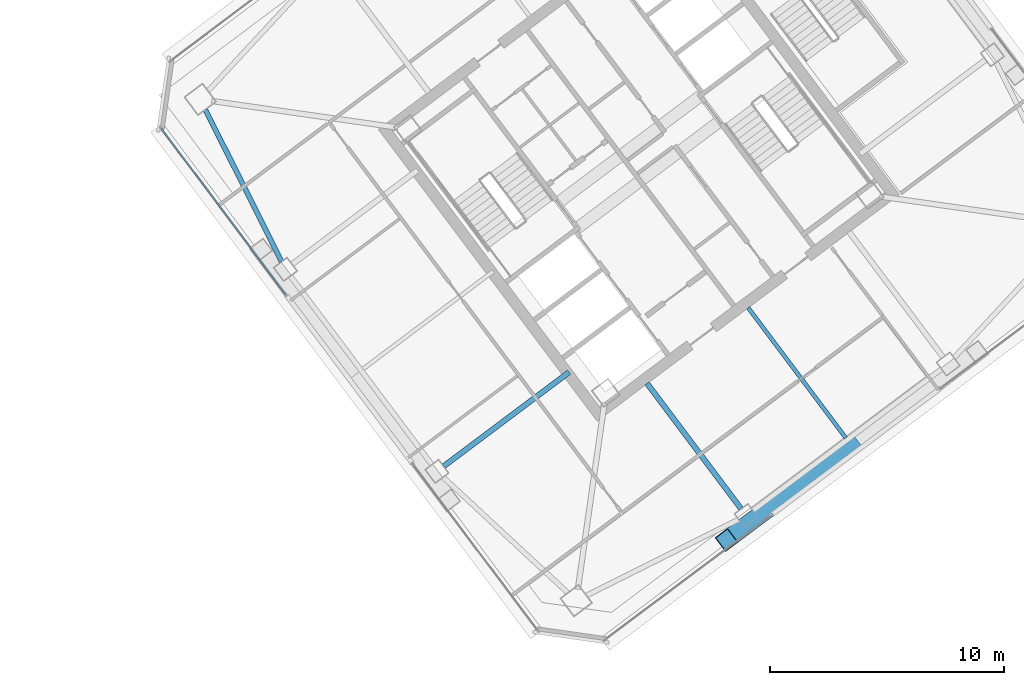
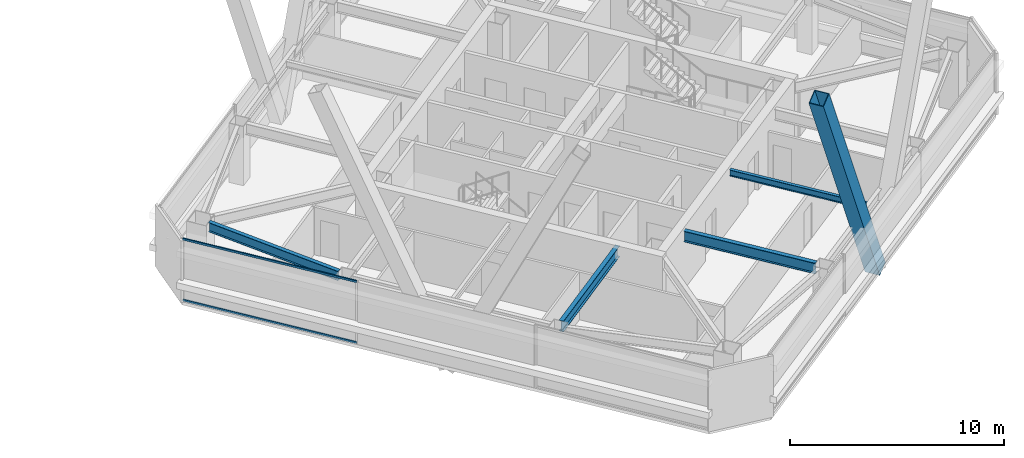
# One storey, part 23 of 47: 4 beams, 3 members, 1 element without a shape of its own.
"""IFC4 building model written with IfcOpenShell, lengths in metres."""

from ifc_helpers import new_model, si_unit, direction, frame, origin, origin_2d, place, context, subcontext, project, spatial, hollow_rectangle, i_section, extrude, material, material_profile, profile_set, type_object, element, aggregate, save


model = new_model("IFC4")

# Units and contexts
model_context = context("Model", 3, precision=1e-05, world=origin(), true_north=direction((0.0, 1.0)))
body_context = subcontext(model_context, "Body", "Model", "MODEL_VIEW")
ifc_project = project(units=[si_unit("LENGTHUNIT", "METRE"), si_unit("AREAUNIT", "SQUARE_METRE"), si_unit("VOLUMEUNIT", "CUBIC_METRE"), si_unit("PLANEANGLEUNIT", "RADIAN"), si_unit("MASSUNIT", "GRAM", prefix="KILO")], contexts=[model_context])

# Site, building, storey
site_placement = place(None, origin())
site = spatial("IfcSite", under=ifc_project, at=site_placement, CompositionType="ELEMENT")
building_placement = place(site_placement, origin())
building = spatial("IfcBuilding", under=site, at=building_placement, Name="Tashvorn Skyway Center", CompositionType="ELEMENT")
storey_placement = place(building_placement, frame((0.0, 0.0, 204.199951171875)))
storey = spatial("IfcBuildingStorey", under=building, at=storey_placement, Name="L55", CompositionType="ELEMENT", Elevation=204.199951171875)

# Beams
ifc_material_1 = material(Name="Steel ASTM A992 Grade 50", Category="steel")
ifc_material_profile_1 = material_profile(ifc_material_1, i_section(OverallWidth=0.22998046875, OverallDepth=0.616943359375, WebThickness=0.01318359375, FlangeThickness=0.022216796875, at=origin_2d()), Name="W24X94")
ifc_profile_set_1 = profile_set([ifc_material_profile_1], Name="Steel ASTM A992 Grade 50")
beam_type_1 = type_object("IfcBeamType", Name="BM-BEAM-W24X94", PredefinedType="BEAM", material=ifc_profile_set_1)
beam_1_placement = place(storey_placement, frame((118.367919921875, 17.176025390625, 3.0615234375), z_axis=(-0.600011660554, 0.799991254452, 0.0), x_axis=(-0.799991254452, -0.600011660554, 0.0)))
element("IfcBeam", 1, at=beam_1_placement, inside=storey, type_object=beam_type_1, Name="Tower 2 L55 Primary Floor Girder FC-S1", PredefinedType="BEAM", context=body_context, shape_type="SweptSolid", body=[
    extrude(i_section(OverallWidth=0.22998046875, OverallDepth=0.616943359375, WebThickness=0.01318359375, FlangeThickness=0.022216796875, at=origin_2d()), origin(), (0.0, 0.0, 1.0), 6.699951171875),
])
beam_2_placement = place(storey_placement, frame((105.656005859375, 18.991943359375, 3.0615234375), z_axis=(0.800004372583, 0.599994169845, 0.0), x_axis=(-0.599994169845, 0.800004372583, 0.0)))
element("IfcBeam", 2, at=beam_2_placement, inside=storey, type_object=beam_type_1, Name="Tower 2 L55 Primary Floor Girder FC-W2", PredefinedType="BEAM", context=body_context, shape_type="SweptSolid", body=[
    extrude(i_section(OverallWidth=0.22998046875, OverallDepth=0.616943359375, WebThickness=0.01318359375, FlangeThickness=0.022216796875, at=origin_2d()), origin(), (0.0, 0.0, 1.0), 6.7001953125),
])
ifc_material_profile_2 = material_profile(ifc_material_1, i_section(OverallWidth=0.1708984375, OverallDepth=0.35498046875, WebThickness=0.007080078125, FlangeThickness=0.01171875, at=origin_2d()), Name="W14X34")
ifc_profile_set_2 = profile_set([ifc_material_profile_2], Name="Steel ASTM A992 Grade 50")
beam_type_2 = type_object("IfcBeamType", Name="BM-JOIST-W14X34", PredefinedType="JOIST", material=ifc_profile_set_2)
beam_3_placement = place(storey_placement, frame((118.674072265625, 25.76806640625, 3.192626953125), z_axis=(0.599994389612, -0.800004207761, 0.0), x_axis=(0.800004207761, 0.599994389612, 0.0)))
element("IfcBeam", 3, at=beam_3_placement, inside=storey, type_object=beam_type_2, Name="Tower 2 L55 Secondary Composite Joist JS", PredefinedType="JOIST", context=body_context, shape_type="SweptSolid", body=[
    extrude(i_section(OverallWidth=0.1708984375, OverallDepth=0.35498046875, WebThickness=0.007080078125, FlangeThickness=0.01171875, at=origin_2d()), origin(), (0.0, 0.0, 1.0), 6.962646484375),
])
ifc_material_profile_3 = material_profile(ifc_material_1, i_section(OverallWidth=0.2109375, OverallDepth=0.5390625, WebThickness=0.01171875, FlangeThickness=0.018798828125, at=origin_2d()), Name="W21X73")
ifc_profile_set_3 = profile_set([ifc_material_profile_3], Name="Steel ASTM A992 Grade 50")
beam_type_3 = type_object("IfcBeamType", Name="BM-SPANDREL-W21X73", PredefinedType="SPANDREL", material=ifc_profile_set_3)
beam_4_placement = place(storey_placement, frame((95.461669921875, 34.2373046875, 3.1005859375), z_axis=(0.447710870872, -0.894178380472, 0.0), x_axis=(0.894178380472, 0.447710870872, 0.0)))
element("IfcBeam", 4, at=beam_4_placement, inside=storey, type_object=beam_type_3, Name="Tower 2 L55 Spandrel Beam 10", PredefinedType="SPANDREL", context=body_context, shape_type="SweptSolid", body=[
    extrude(i_section(OverallWidth=0.2109375, OverallDepth=0.5390625, WebThickness=0.01171875, FlangeThickness=0.018798828125, at=origin_2d()), origin(), (0.0, 0.0, 1.0), 7.26513671875),
])

# Curtain wall, members
ifc_material_2 = material(Name="Thermally broken bronze-anodized aluminium 6063-T6", Category="aluminium")
curtain_wall_type = type_object("IfcCurtainWallType", Name="CW-CW-Z5", PredefinedType="NOTDEFINED", material=ifc_material_2)
curtain_wall_placement = place(storey_placement, origin())
curtain_wall = element("IfcCurtainWall", 5, at=curtain_wall_placement, inside=storey, type_object=curtain_wall_type, Name="Tower 2 L55 West Unitised Curtain Wall Glazing Group 2", PredefinedType="NOTDEFINED")
ifc_material_profile_4 = material_profile(ifc_material_2, hollow_rectangle(XDim=0.070068359375, YDim=0.114990234375, WallThickness=0.00390625, at=origin_2d()), Name="ALU-TRAN-70x115")
ifc_profile_set_4 = profile_set([ifc_material_profile_4], Name="Thermally broken bronze-anodized aluminium 6063-T6")
member_type_1 = type_object("IfcMemberType", Name="CWT-CW-Z5", PredefinedType="USERDEFINED", material=ifc_profile_set_4)
member_1_placement = place(storey_placement, frame((98.8779296875, 26.36279296875, 0.03515625), z_axis=(-0.6, 0.8, 0.0), x_axis=(-0.8, -0.6, 0.0)))
member_1 = element("IfcMember", 6, at=member_1_placement, type_object=member_type_1, Name="CW-Z5 transom 1.1", ObjectType="TRANSOM", PredefinedType="USERDEFINED", context=body_context, shape_type="SweptSolid", body=[
    extrude(hollow_rectangle(XDim=0.070068359375, YDim=0.114990234375, WallThickness=0.00390625, at=origin_2d()), origin(), (0.0, 0.0, 1.0), 8.846435546875),
])
member_2_placement = place(storey_placement, frame((98.8779296875, 26.36279296875, 3.51513671875), z_axis=(-0.6, 0.8, 0.0), x_axis=(-0.8, -0.6, 0.0)))
member_2 = element("IfcMember", 7, at=member_2_placement, type_object=member_type_1, Name="CW-Z5 transom 1.2", ObjectType="TRANSOM", PredefinedType="USERDEFINED", context=body_context, shape_type="SweptSolid", body=[
    extrude(hollow_rectangle(XDim=0.070068359375, YDim=0.114990234375, WallThickness=0.00390625, at=origin_2d()), origin(), (0.0, 0.0, 1.0), 8.846435546875),
])
aggregate(curtain_wall, [member_1, member_2])

# Member
ifc_material_3 = material(Name="Steel ASTM A572 Grade 50", Category="steel")
ifc_material_profile_5 = material_profile(ifc_material_3, hollow_rectangle(XDim=0.75, YDim=0.75, WallThickness=0.031982421875, at=origin_2d()), Name="BOX750x750x32")
ifc_profile_set_5 = profile_set([ifc_material_profile_5], Name="Steel ASTM A572 Grade 50")
member_type_2 = type_object("IfcMemberType", Name="MEM-MB-750", PredefinedType="BRACE", material=ifc_profile_set_5)
member_3_placement = place(storey_placement, frame((123.10791015625, 19.85595703125, -0.199951171875), z_axis=(-0.34634599886, -0.259767387138, 0.901424069821), x_axis=(0.600011660554, -0.799991254452, 0.0)))
element("IfcMember", 8, at=member_3_placement, inside=storey, type_object=member_type_2, Name="Tower 2 Zone 5 S Chevron Mega-Brace L1", PredefinedType="BRACE", context=body_context, shape_type="SweptSolid", body=[
    extrude(hollow_rectangle(XDim=0.75, YDim=0.75, WallThickness=0.031982421875, at=origin_2d()), origin(), (0.0, 0.0, 1.0), 15.475341796875),
])

save(model, "model.ifc")
